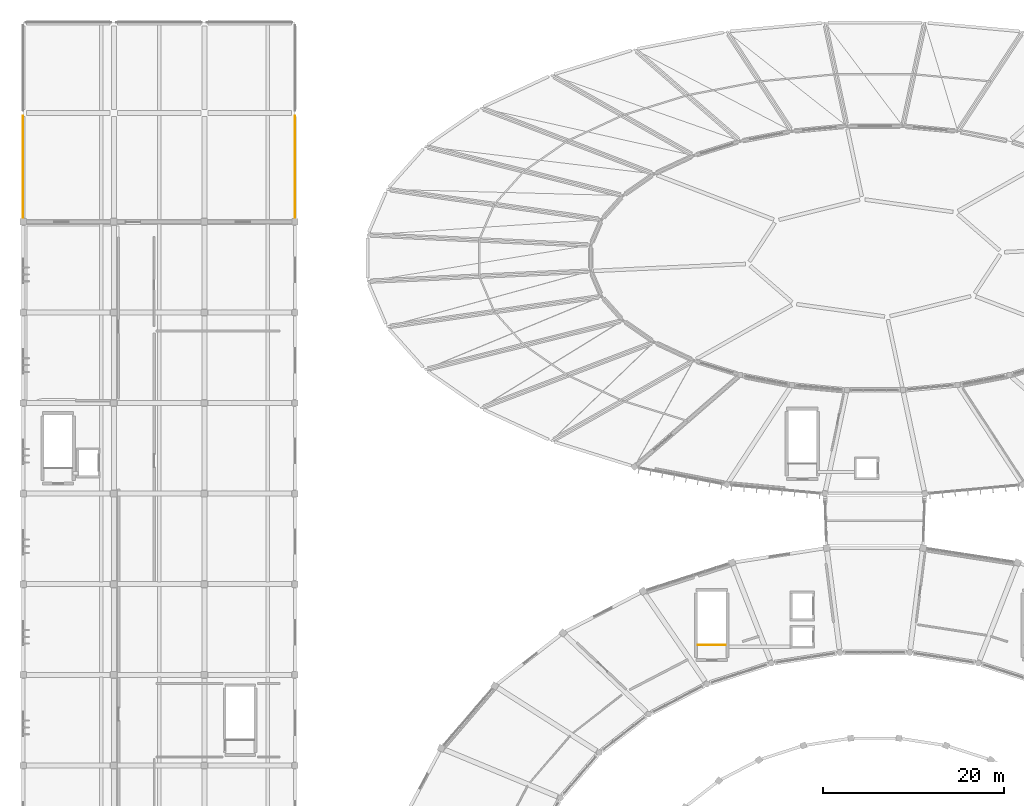
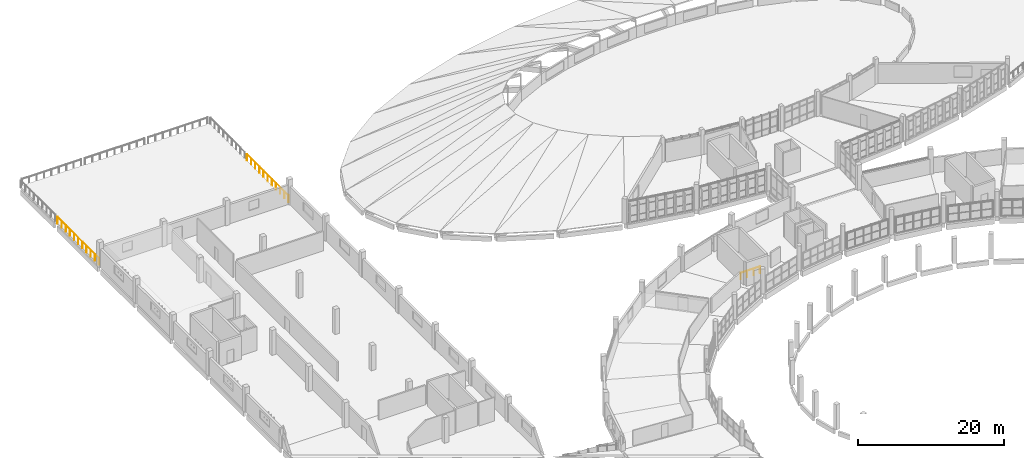
# One storey, part 128 of 142: 3 railings.
"""IFC4 building model written with IfcOpenShell, lengths in metres."""

from ifc_helpers import new_model, si_unit, direction, frame, origin, origin_2d, place, context, subcontext, project, spatial, circle, extrude, material, layer, layer_set, type_object, element, save


model = new_model("IFC4")

# Units and contexts
model_context = context("Model", 3, precision=1e-05, world=origin(), true_north=direction((0.0, 1.0)))
body_context = subcontext(model_context, "Body", "Model", "MODEL_VIEW")
ifc_project = project(units=[si_unit("LENGTHUNIT", "METRE"), si_unit("AREAUNIT", "SQUARE_METRE"), si_unit("VOLUMEUNIT", "CUBIC_METRE"), si_unit("PLANEANGLEUNIT", "RADIAN"), si_unit("MASSUNIT", "GRAM", prefix="KILO")], contexts=[model_context])

# Site, building, storey
site_placement = place(None, origin())
site = spatial("IfcSite", under=ifc_project, at=site_placement, CompositionType="ELEMENT")
building_placement = place(site_placement, origin())
building = spatial("IfcBuilding", under=site, at=building_placement, Name="Corvandel Quay Wholesale Market", CompositionType="ELEMENT")
storey_placement = place(building_placement, frame((0.0, 0.0, 10.800048828125)))
storey = spatial("IfcBuildingStorey", under=building, at=storey_placement, Name="L02", CompositionType="ELEMENT", Elevation=10.800048828125)

# Railings
ifc_material_1 = material(Name="Hot-dip galvanised painted steel", Category="steel")
ifc_layer_1 = layer(ifc_material_1, 0.06005859375)
ifc_layer_set_1 = layer_set([ifc_layer_1], Name="Hot-dip galvanised painted steel")
railing_type_1 = type_object("IfcRailingType", Name="Galvanised Steel Guard Balustrade GR01 1100mm", PredefinedType="BALUSTRADE", material=ifc_layer_set_1)
for number, where, name in (
    (1, (20.0, 120.300048828125, 0.0), "Cold Block Roof Terrace Guard GR-0020"),
    (2, (50.0, 120.300048828125, 0.0), "Cold Block East Terrace Guard GR-0021"),
):
    element("IfcRailing", number, at=place(storey_placement, frame(where)), inside=storey, type_object=railing_type_1, Name=name, PredefinedType="BALUSTRADE", context=body_context, shape_type="SweptSolid", body=[
        extrude(circle(Radius=0.02392578125, at=origin_2d()), frame((0.0, 0.0, 1.076171875), z_axis=(0.0, 1.0, 0.0), x_axis=(-1.0, 0.0, 0.0)), (0.0, 0.0, 1.0), 11.39990234375),
        extrude(circle(Radius=0.02099609375, at=origin_2d()), origin(), (0.0, 0.0, 1.0), 1.052001953125),
        extrude(circle(Radius=0.02099609375, at=origin_2d()), frame((0.0, 1.139892578125, 0.0)), (0.0, 0.0, 1.0), 1.052001953125),
        extrude(circle(Radius=0.02099609375, at=origin_2d()), frame((0.0, 2.280029296875, 0.0)), (0.0, 0.0, 1.0), 1.052001953125),
        extrude(circle(Radius=0.02099609375, at=origin_2d()), frame((0.0, 3.419921875, 0.0)), (0.0, 0.0, 1.0), 1.052001953125),
        extrude(circle(Radius=0.02099609375, at=origin_2d()), frame((0.0, 4.56005859375, 0.0)), (0.0, 0.0, 1.0), 1.052001953125),
        extrude(circle(Radius=0.02099609375, at=origin_2d()), frame((0.0, 5.699951171875, 0.0)), (0.0, 0.0, 1.0), 1.052001953125),
        extrude(circle(Radius=0.02099609375, at=origin_2d()), frame((0.0, 6.83984375, 0.0)), (0.0, 0.0, 1.0), 1.052001953125),
        extrude(circle(Radius=0.02099609375, at=origin_2d()), frame((0.0, 7.97998046875, 0.0)), (0.0, 0.0, 1.0), 1.052001953125),
        extrude(circle(Radius=0.02099609375, at=origin_2d()), frame((0.0, 9.119873046875, 0.0)), (0.0, 0.0, 1.0), 1.052001953125),
        extrude(circle(Radius=0.02099609375, at=origin_2d()), frame((0.0, 10.260009765625, 0.0)), (0.0, 0.0, 1.0), 1.052001953125),
        extrude(circle(Radius=0.02099609375, at=origin_2d()), frame((0.0, 11.39990234375, 0.0)), (0.0, 0.0, 1.0), 1.052001953125),
    ])
ifc_material_2 = material(Name="Painted galvanised tubular steel", Category="steel")
ifc_layer_2 = layer(ifc_material_2, 0.054931640625)
ifc_layer_set_2 = layer_set([ifc_layer_2], Name="Painted galvanised tubular steel")
railing_type_2 = type_object("IfcRailingType", Name="Stairwell Inner Guard Railing GR02 1100mm", PredefinedType="GUARDRAIL", material=ifc_layer_set_2)
railing_placement = place(storey_placement, frame((94.469970703125, 73.300048828125, 0.0)))
element("IfcRailing", 3, at=railing_placement, inside=storey, type_object=railing_type_2, Name="Stair Top Well Guard SH01-L02", PredefinedType="GUARDRAIL", context=body_context, shape_type="SweptSolid", body=[
    extrude(circle(Radius=0.02392578125, at=origin_2d()), frame((0.0, 0.0, 1.076171875), z_axis=(1.0, 0.0, 0.0), x_axis=(0.0, 1.0, 0.0)), (0.0, 0.0, 1.0), 3.06005859375),
    extrude(circle(Radius=0.02099609375, at=origin_2d()), origin(), (0.0, 0.0, 1.0), 1.052001953125),
    extrude(circle(Radius=0.02099609375, at=origin_2d()), frame((1.02001953125, 0.0, 0.0)), (0.0, 0.0, 1.0), 1.052001953125),
    extrude(circle(Radius=0.02099609375, at=origin_2d()), frame((2.0400390625, 0.0, 0.0)), (0.0, 0.0, 1.0), 1.052001953125),
    extrude(circle(Radius=0.02099609375, at=origin_2d()), frame((3.06005859375, 0.0, 0.0)), (0.0, 0.0, 1.0), 1.052001953125),
])

save(model, "model.ifc")
